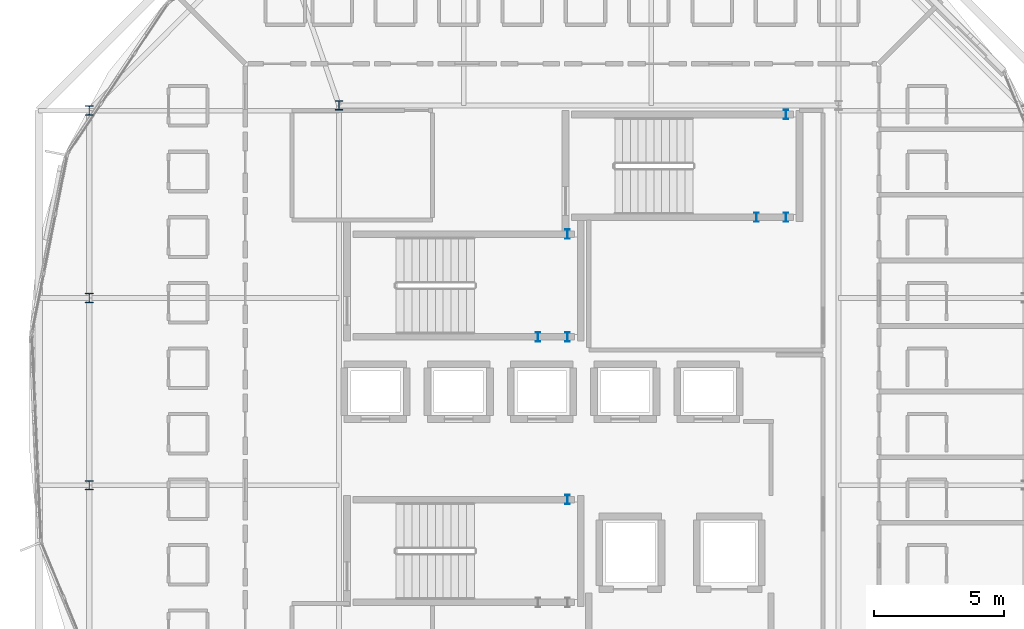
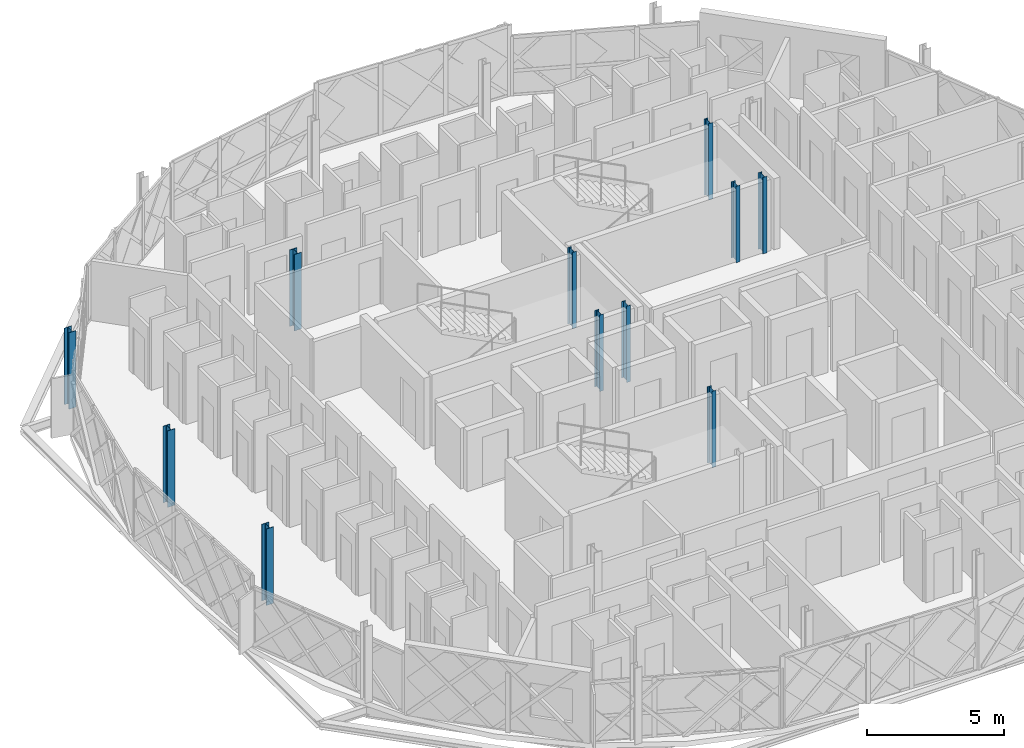
# One storey, part 2 of 24: 11 columns.
"""IFC4 building model written with IfcOpenShell, lengths in metres."""

import ifcopenshell
import ifcopenshell.guid

model = None  # the IFC model being written
_history = None  # IfcOwnerHistory: only IFC2X3 demands one
_inside = {}  # id of a spatial element -> (the spatial element, [elements in it])
_under = {}  # id of a project, library or spatial element -> (it, [spatial elements below it])
_declared = {}  # id of a project -> (the project, [libraries it declares])
_typed = {}  # id of a type object -> (the type object, [elements of that type])
_made_of = {}  # id of a material, layer set ... -> (it, [elements and type objects made of it])


def new_model(schema):
    """Start an empty IFC model of exactly this schema.

    Asked for "IFC4X3", IfcOpenShell would pick the latest addendum, in which some entities
    have other attributes; the version numbers below select the first issue.
    IFC2X3 requires an IfcOwnerHistory on every rooted entity: one is made here for all.
    """
    global model, _history
    if schema == "IFC4X3":
        model = ifcopenshell.file(schema_version=(4, 3, 0, 0))
    else:
        model = ifcopenshell.file(schema=schema)
    _inside.clear()
    _under.clear()
    _declared.clear()
    _typed.clear()
    _made_of.clear()
    _history = None
    if model.schema == "IFC2X3":
        org = make("IfcOrganization", Name="unknown")
        user = make(
            "IfcPersonAndOrganization",
            ThePerson=make("IfcPerson", FamilyName="unknown"),
            TheOrganization=org,
        )
        app = make(
            "IfcApplication",
            ApplicationDeveloper=org,
            Version="unknown",
            ApplicationFullName="unknown",
            ApplicationIdentifier="unknown",
        )
        _history = make(
            "IfcOwnerHistory",
            OwningUser=user,
            OwningApplication=app,
            ChangeAction="ADDED",
            CreationDate=0,
        )
    return model


def make(cls, **values):
    """One entity of the class cls with the attributes given. An attribute that is None is left unset."""
    return model.create_entity(
        cls, **{name: value for name, value in values.items() if value is not None}
    )


def rooted(cls, **values):
    """An entity with a GlobalId (a new one), such as an element, a storey or a relation."""
    return make(cls, GlobalId=ifcopenshell.guid.new(), OwnerHistory=_history, **values)


def si_unit(unit_type, name, prefix=None):
    """IfcSIUnit, for example si_unit("LENGTHUNIT", "METRE", prefix="MILLI")."""
    return make("IfcSIUnit", UnitType=unit_type, Prefix=prefix, Name=name)


def assignment(units):
    """IfcUnitAssignment: the units of a project."""
    return None if units is None else make("IfcUnitAssignment", Units=units)


def point(xyz):
    """IfcCartesianPoint."""
    return None if xyz is None else make("IfcCartesianPoint", Coordinates=xyz)


def direction(xyz):
    """IfcDirection."""
    return None if xyz is None else make("IfcDirection", DirectionRatios=xyz)


def frame(location, z_axis=None, x_axis=None):
    """IfcAxis2Placement3D, a coordinate frame: its origin and axes. An axis left out is left unset."""
    return make(
        "IfcAxis2Placement3D",
        Location=point(location),
        Axis=direction(z_axis),
        RefDirection=direction(x_axis),
    )


def frame_2d(location, x_axis=None):
    """IfcAxis2Placement2D, a coordinate frame in the plane: its origin and x axis."""
    return make(
        "IfcAxis2Placement2D", Location=point(location), RefDirection=direction(x_axis)
    )


def origin():
    """The frame at (0, 0, 0) with its axes left unset."""
    return frame((0.0, 0.0, 0.0))


def origin_2d():
    """The frame at (0, 0) in the plane with its x axis left unset."""
    return frame_2d((0.0, 0.0))


def place(relative_to, where):
    """IfcLocalPlacement: puts the frame where relative to a parent placement (None: the world)."""
    return make(
        "IfcLocalPlacement", PlacementRelTo=relative_to, RelativePlacement=where
    )


def context(
    kind, dimensions, precision=None, world=None, true_north=None, identifier=None
):
    """IfcGeometricRepresentationContext, for example the 3D "Model" context."""
    return make(
        "IfcGeometricRepresentationContext",
        ContextIdentifier=identifier,
        ContextType=kind,
        CoordinateSpaceDimension=dimensions,
        Precision=precision,
        WorldCoordinateSystem=world,
        TrueNorth=true_north,
    )


def subcontext(parent, identifier, kind, view, scale=None):
    """IfcGeometricRepresentationSubContext, for example "Body" below "Model"."""
    return make(
        "IfcGeometricRepresentationSubContext",
        ContextIdentifier=identifier,
        ContextType=kind,
        ParentContext=parent,
        TargetScale=scale,
        TargetView=view,
    )


def project(units=None, contexts=None):
    """IfcProject with its units and contexts."""
    return rooted(
        "IfcProject",
        Name="project",
        RepresentationContexts=contexts,
        UnitsInContext=assignment(units),
    )


def spatial(cls, under=None, at=None, **own):
    """A site, building, storey or space (cls), placed at a placement, below another one or the project."""
    s = rooted(cls, ObjectPlacement=at, **own)
    if under is not None:
        _under.setdefault(under.id(), (under, []))[1].append(s)
    return s


def profile(cls, at=None, kind="AREA", **sizes):
    """A parametric profile (cls). Its sizes go by their IFC names, for example OverallWidth=200.0."""
    return make(cls, ProfileType=kind, Position=at, **sizes)


def i_section(**sizes):
    """IfcIShapeProfileDef."""
    return profile("IfcIShapeProfileDef", **sizes)


def extrude(swept, where, along, depth):
    """IfcExtrudedAreaSolid: the profile swept, set in the frame where, extruded along a direction by depth."""
    return make(
        "IfcExtrudedAreaSolid",
        SweptArea=swept,
        Position=where,
        ExtrudedDirection=direction(along),
        Depth=depth,
    )


def shape(context_of_items, identifier, shape_type, items):
    """IfcShapeRepresentation: the items that make up one representation, for example the "Body"."""
    return make(
        "IfcShapeRepresentation",
        ContextOfItems=context_of_items,
        RepresentationIdentifier=identifier,
        RepresentationType=shape_type,
        Items=items,
    )


def material(Name=None, Category=None):
    """IfcMaterial."""
    return make("IfcMaterial", Name=Name, Category=Category)


def material_profile(
    of_material, cross_section, Name=None, Category=None, Priority=None
):
    """IfcMaterialProfile: a cross section and its material."""
    return make(
        "IfcMaterialProfile",
        Name=Name,
        Material=of_material,
        Profile=cross_section,
        Priority=Priority,
        Category=Category,
    )


def profile_set(profiles, Name=None, composite=None):
    """IfcMaterialProfileSet."""
    return make(
        "IfcMaterialProfileSet",
        Name=Name,
        MaterialProfiles=profiles,
        CompositeProfile=composite,
    )


def made_of(thing, what):
    """Note that an element or type object is made of a material, layer set ...; save() writes the relation."""
    if what is not None:
        _made_of.setdefault(what.id(), (what, []))[1].append(thing)
    return thing


def type_object(cls, material=None, **own):
    """A type object (cls), such as IfcWallType, which elements share."""
    return made_of(rooted(cls, **own), material)


def element(
    cls,
    number,
    at=None,
    inside=None,
    cuts=None,
    type_object=None,
    material=None,
    context=None,
    identifier="Body",
    shape_type=None,
    held_by="IfcProductDefinitionShape",
    body=None,
    shapes=None,
    **own,
):
    """One element of the class cls, such as IfcWall. Its Tag is "e" and its number.

    at: its placement. inside: the storey or other place that contains it. cuts: it is an
    opening in that element (IfcRelVoidsElement). A single representation is given by context,
    identifier, shape_type and body (its items); several are given by shapes. held_by: the class
    of the entity that holds the representations. save() writes the other relations.
    """
    e = rooted(cls, Tag="e%d" % number, ObjectPlacement=at, **own)
    if body is not None:
        shapes = [shape(context, identifier, shape_type, body)]
    if shapes is not None:
        e.Representation = make(held_by, Representations=shapes)
    if inside is not None:
        _inside.setdefault(inside.id(), (inside, []))[1].append(e)
    if cuts is not None:
        rooted(
            "IfcRelVoidsElement", RelatingBuildingElement=cuts, RelatedOpeningElement=e
        )
    if type_object is not None:
        _typed.setdefault(type_object.id(), (type_object, []))[1].append(e)
    return made_of(e, material)


def aggregate(whole, parts):
    """IfcRelAggregates: a whole, such as a stair, and the parts it consists of."""
    return rooted("IfcRelAggregates", RelatingObject=whole, RelatedObjects=parts)


def save(model, path):
    """Write the relations noted so far, then the file.

    IfcRelAggregates (storeys below a building ...), IfcRelContainedInSpatialStructure (elements
    in a storey), IfcRelDefinesByType, IfcRelAssociatesMaterial and IfcRelDeclares: one each for
    every whole, place, type object, material and project.
    """
    for whole, parts in _under.values():
        aggregate(whole, parts)
    for where, things in _inside.values():
        rooted(
            "IfcRelContainedInSpatialStructure",
            RelatedElements=things,
            RelatingStructure=where,
        )
    for kind, things in _typed.values():
        rooted("IfcRelDefinesByType", RelatedObjects=things, RelatingType=kind)
    for what, things in _made_of.values():
        rooted("IfcRelAssociatesMaterial", RelatedObjects=things, RelatingMaterial=what)
    for by, libraries in _declared.values():
        rooted("IfcRelDeclares", RelatingContext=by, RelatedDefinitions=libraries)
    model.write(path)


model = new_model("IFC4")

# Units and contexts
model_context = context("Model", 3, precision=1e-05, world=origin(), true_north=direction((0.0, 1.0)))
body_context = subcontext(model_context, "Body", "Model", "MODEL_VIEW")
ifc_project = project(units=[si_unit("LENGTHUNIT", "METRE"), si_unit("AREAUNIT", "SQUARE_METRE"), si_unit("VOLUMEUNIT", "CUBIC_METRE"), si_unit("PLANEANGLEUNIT", "RADIAN"), si_unit("MASSUNIT", "GRAM", prefix="KILO")], contexts=[model_context])

# Site, building, storey
site_placement = place(None, origin())
site = spatial("IfcSite", under=ifc_project, at=site_placement, CompositionType="ELEMENT")
building_placement = place(site_placement, origin())
building = spatial("IfcBuilding", under=site, at=building_placement, Name="Zevrakil Square Congress Hotel", CompositionType="ELEMENT")
storey_placement = place(building_placement, frame((0.0, 0.0, 35.10009765625)))
storey = spatial("IfcBuildingStorey", under=building, at=storey_placement, Name="L10", CompositionType="ELEMENT", Elevation=35.10009765625)

# Columns
ifc_material_1 = material(Name="Steel S355", Category="steel")
ifc_material_profile_1 = material_profile(ifc_material_1, i_section(OverallWidth=0.300048828125, OverallDepth=0.360107421875, WebThickness=0.012451171875, FlangeThickness=0.0224609375, FilletRadius=0.027099609375, at=origin_2d()), Name="HEB 360")
ifc_profile_set_1 = profile_set([ifc_material_profile_1], Name="Steel S355")
column_type_1 = type_object("IfcColumnType", Name="COL-HEB360", PredefinedType="COLUMN", material=ifc_profile_set_1)
for number, where, z_axis, x_axis, name in (
    (1, (136.800048828125, 38.60009765625, 0.0), (0.0, 0.0, 1.0), (1.0, 0.0, 0.0), "L10 drum core collar column CC01"),
    (2, (127.199951171875, 38.39990234375, 0.0), (0.0, 0.0, 1.0), (1.0, 0.0, 0.0), "L10 drum column DC13"),
    (3, (127.199951171875, 31.199951171875, 0.0), (0.0, 0.0, 1.0), (1.0, 0.0, 0.0), "L10 drum column DC14"),
    (4, (127.199951171875, 24.0, 0.0), (0.0, 0.0, 1.0), (1.0, 0.0, 0.0), "L10 drum column DC15"),
):
    element("IfcColumn", number, at=place(storey_placement, frame(where, z_axis=z_axis, x_axis=x_axis)), inside=storey, type_object=column_type_1, Name=name, PredefinedType="COLUMN", context=body_context, shape_type="SweptSolid", body=[
        extrude(i_section(OverallWidth=0.300048828125, OverallDepth=0.360107421875, WebThickness=0.012451171875, FlangeThickness=0.0224609375, FilletRadius=0.027099609375, at=origin_2d()), origin(), (0.0, 0.0, 1.0), 3.39990234375),
    ])
ifc_material_2 = material(Name="Steel S355", Category="steel")
ifc_material_profile_2 = material_profile(ifc_material_2, i_section(OverallWidth=0.169921875, OverallDepth=0.360107421875, WebThickness=0.008056640625, FlangeThickness=0.0126953125, FilletRadius=0.01806640625, at=origin_2d()), Name="IPE 360")
ifc_profile_set_2 = profile_set([ifc_material_profile_2], Name="Steel S355")
column_type_2 = type_object("IfcColumnType", Name="COL-PILASTER-SHS180", PredefinedType="PILASTER", material=ifc_profile_set_2)
for number, where, z_axis, x_axis, name in (
    (5, (145.580078125, 23.449951171875, 0.0), (0.0, 0.0, 1.0), (1.0, 0.0, 0.0), "L10 ST01 stair shaft post 3"),
    (6, (144.449951171875, 29.699951171875, 0.0), (0.0, 0.0, 1.0), (1.0, 0.0, 0.0), "L10 ST02 stair shaft post 1"),
    (7, (145.580078125, 29.699951171875, 0.0), (0.0, 0.0, 1.0), (1.0, 0.0, 0.0), "L10 ST02 stair shaft post 2"),
    (8, (145.580078125, 33.64990234375, 0.0), (0.0, 0.0, 1.0), (1.0, 0.0, 0.0), "L10 ST02 stair shaft post 3"),
    (9, (152.85009765625, 34.300048828125, 0.0), (0.0, 0.0, 1.0), (1.0, 0.0, 0.0), "L10 ST03 stair shaft post 1"),
    (10, (153.97998046875, 34.300048828125, 0.0), (0.0, 0.0, 1.0), (1.0, 0.0, 0.0), "L10 ST03 stair shaft post 2"),
    (11, (153.97998046875, 38.25, 0.0), (0.0, 0.0, 1.0), (1.0, 0.0, 0.0), "L10 ST03 stair shaft post 3"),
):
    element("IfcColumn", number, at=place(storey_placement, frame(where, z_axis=z_axis, x_axis=x_axis)), inside=storey, type_object=column_type_2, Name=name, PredefinedType="PILASTER", context=body_context, shape_type="SweptSolid", body=[
        extrude(i_section(OverallWidth=0.169921875, OverallDepth=0.360107421875, WebThickness=0.008056640625, FlangeThickness=0.0126953125, FilletRadius=0.01806640625, at=origin_2d()), origin(), (0.0, 0.0, 1.0), 3.39990234375),
    ])

save(model, "model.ifc")
